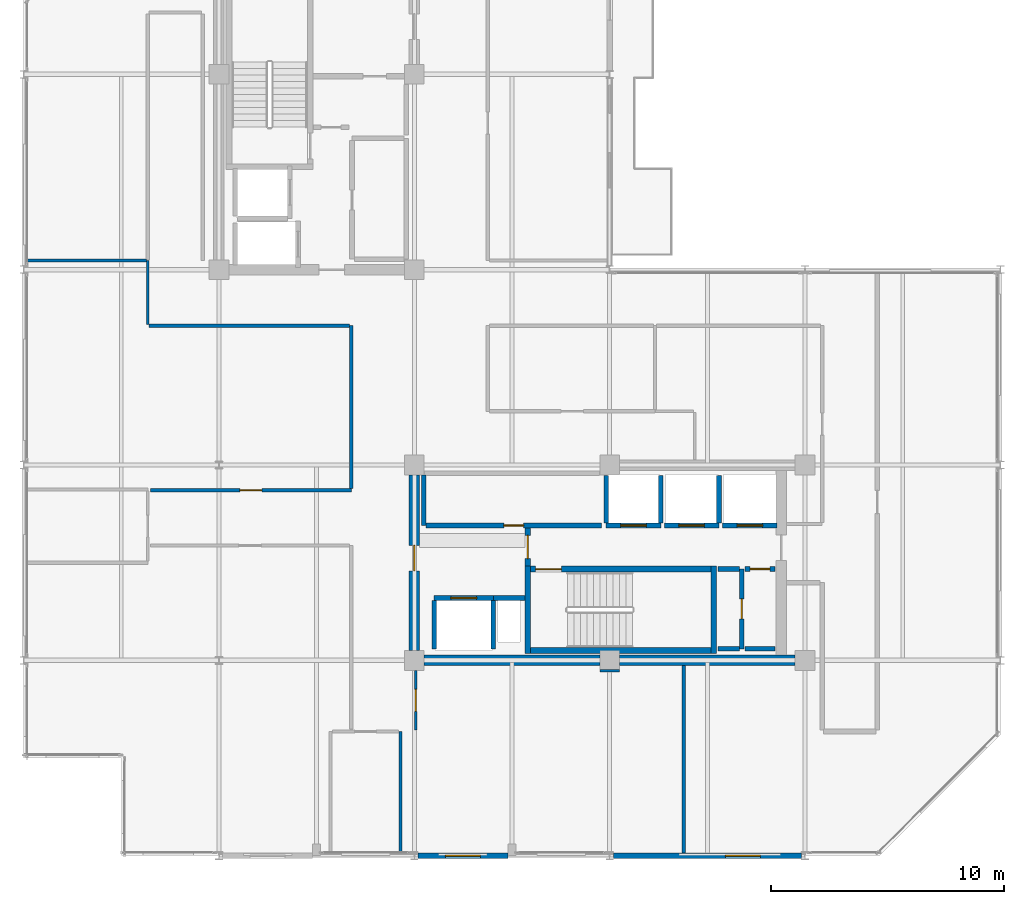
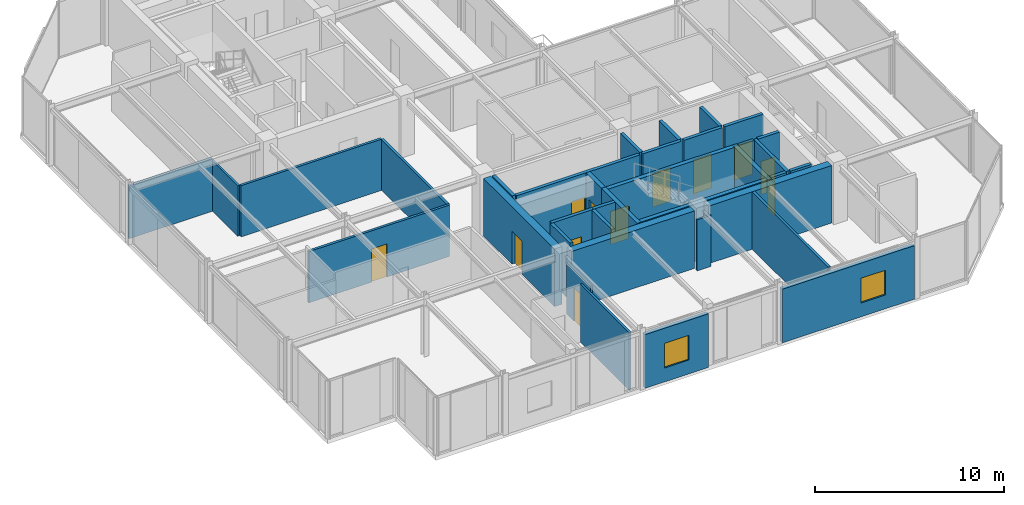
# One storey, part 21 of 26: 36 walls, 12 doors, 2 windows, 14 openings.
"""IFC4 building model written with IfcOpenShell, lengths in metres."""

from ifc_helpers import new_model, si_unit, direction, frame, frame_2d, origin, place, context, subcontext, project, spatial, rectangle, extrude, material, layer, layer_set, type_object, element, fill, save


model = new_model("IFC4")

# Units and contexts
model_context = context("Model", 3, precision=1e-05, world=origin(), true_north=direction((0.0, 1.0)))
body_context = subcontext(model_context, "Body", "Model", "MODEL_VIEW")
ifc_project = project(units=[si_unit("LENGTHUNIT", "METRE"), si_unit("AREAUNIT", "SQUARE_METRE"), si_unit("VOLUMEUNIT", "CUBIC_METRE"), si_unit("PLANEANGLEUNIT", "RADIAN"), si_unit("MASSUNIT", "GRAM", prefix="KILO")], contexts=[model_context])

# Site, building, storey
site_placement = place(None, origin())
site = spatial("IfcSite", under=ifc_project, at=site_placement, CompositionType="ELEMENT")
building_placement = place(site_placement, origin())
building = spatial("IfcBuilding", under=site, at=building_placement, Name="Nerrivon Quay Data Exchange", CompositionType="ELEMENT")
storey_placement = place(building_placement, frame((0.0, 0.0, 262.199951171875)))
storey = spatial("IfcBuildingStorey", under=building, at=storey_placement, Name="L62", CompositionType="ELEMENT", Elevation=262.199951171875)

# Wall, opening, window
ifc_material_1 = material(Name="Architectural terracotta precast concrete N50 (50 MPa)", Category="masonry")
ifc_layer_1 = layer(ifc_material_1, 0.239990234375)
ifc_layer_set_1 = layer_set([ifc_layer_1], Name="Architectural terracotta precast concrete N50 (50 MPa)")
wall_type_1 = type_object("IfcWallType", Name="EW-PREC-240", PredefinedType="STANDARD", material=ifc_layer_set_1)
wall_1_placement = place(storey_placement, frame((33.444580078125, 0.0, 0.0), z_axis=(0.0, 0.0, 1.0), x_axis=(-1.0, 0.0, 0.0)))
wall_1 = element("IfcWall", 1, at=wall_1_placement, inside=storey, type_object=wall_type_1, Name="L62 Podium Precast Spandrel Wall 3", PredefinedType="STANDARD", context=body_context, shape_type="SweptSolid", body=[
    extrude(rectangle(XDim=8.089111328125, YDim=0.239990234375, at=frame_2d((4.04443359375, 0.0))), origin(), (0.0, 0.0, 1.0), 3.47509765625),
])
opening_1_placement = place(wall_1_placement, frame((1.76953125, 0.0, 0.89990234375)))
opening_1 = element("IfcOpeningElement", 2, at=opening_1_placement, cuts=wall_1, Name="Opening WN4", PredefinedType="OPENING", context=body_context, shape_type="SweptSolid", body=[
    extrude(rectangle(XDim=1.5, YDim=1.60009765625, at=frame_2d((0.75, 0.800048828125))), frame((0.0, 0.1298828125, 0.0), z_axis=(0.0, -1.0, 0.0), x_axis=(1.0, 0.0, 0.0)), (0.0, 0.0, 1.0), 0.260009765625),
])
ifc_material_2 = material(Name="Double-glazed low-E solar control glass", Category="glass")
window_type = type_object("IfcWindowType", Name="WIN-W4-1500x1600", PartitioningType="SINGLE_PANEL", PredefinedType="WINDOW", material=ifc_material_2)
window_1_placement = place(opening_1_placement, origin())
window_1 = element("IfcWindow", 3, at=window_1_placement, inside=storey, type_object=window_type, Name="L62 Solar Facade Window 3", OverallHeight=1.60009765625, OverallWidth=1.5, PartitioningType="SINGLE_PANEL", PredefinedType="WINDOW", context=body_context, shape_type="SweptSolid", body=[
    extrude(rectangle(XDim=1.5, YDim=1.60009765625, at=frame_2d((0.75, 0.800048828125))), frame((0.0, 0.030029296875, 0.0), z_axis=(0.0, -1.0, 0.0), x_axis=(1.0, 0.0, 0.0)), (0.0, 0.0, 1.0), 0.06005859375),
])
fill(opening_1, window_1)

wall_2_placement = place(storey_placement, frame((20.824951171875, 0.0, 0.0), z_axis=(0.0, 0.0, 1.0), x_axis=(-1.0, 0.0, 0.0)))
wall_2 = element("IfcWall", 4, at=wall_2_placement, inside=storey, type_object=wall_type_1, Name="L62 Podium Precast Spandrel Wall 5", PredefinedType="STANDARD", context=body_context, shape_type="SweptSolid", body=[
    extrude(rectangle(XDim=3.869384765625, YDim=0.239990234375, at=frame_2d((1.9345703125, 0.0))), origin(), (0.0, 0.0, 1.0), 3.47509765625),
])
opening_2_placement = place(wall_2_placement, frame((1.184814453125, 0.0, 0.89990234375)))
opening_2 = element("IfcOpeningElement", 5, at=opening_2_placement, cuts=wall_2, Name="Opening WN4", PredefinedType="OPENING", context=body_context, shape_type="SweptSolid", body=[
    extrude(rectangle(XDim=1.5, YDim=1.60009765625, at=frame_2d((0.75, 0.800048828125))), frame((0.0, 0.1298828125, 0.0), z_axis=(0.0, -1.0, 0.0), x_axis=(1.0, 0.0, 0.0)), (0.0, 0.0, 1.0), 0.260009765625),
])
window_2_placement = place(opening_2_placement, origin())
window_2 = element("IfcWindow", 6, at=window_2_placement, inside=storey, type_object=window_type, Name="L62 Solar Facade Window 5", OverallHeight=1.60009765625, OverallWidth=1.5, PartitioningType="SINGLE_PANEL", PredefinedType="WINDOW", context=body_context, shape_type="SweptSolid", body=[
    extrude(rectangle(XDim=1.5, YDim=1.60009765625, at=frame_2d((0.75, 0.800048828125))), frame((0.0, 0.030029296875, 0.0), z_axis=(0.0, -1.0, 0.0), x_axis=(1.0, 0.0, 0.0)), (0.0, 0.0, 1.0), 0.06005859375),
])
fill(opening_2, window_2)

# Walls
ifc_material_3 = material(Name="Concrete N50 (50 MPa)", Category="concrete")
ifc_layer_2 = layer(ifc_material_3, 0.449951171875)
ifc_layer_set_2 = layer_set([ifc_layer_2], Name="Concrete N50 (50 MPa)")
wall_type_2 = type_object("IfcWallType", Name="WALL-CW-550", PredefinedType="SHEAR", material=ifc_layer_set_2)
wall_3_placement = place(storey_placement, frame((17.22509765625, 8.39990234375, 0.0), z_axis=(0.0, 0.0, 1.0), x_axis=(1.0, 0.0, 0.0)))
element("IfcWall", 7, at=wall_3_placement, inside=storey, type_object=wall_type_2, Name="L62 East Split-Core Shear Wall ECW-S1", PredefinedType="SHEAR", context=body_context, shape_type="SweptSolid", body=[
    extrude(rectangle(XDim=7.5498046875, YDim=0.449951171875, at=frame_2d((3.77490234375, 0.0))), origin(), (0.0, 0.0, 1.0), 3.72509765625),
])
wall_4_placement = place(storey_placement, frame((25.625, 8.39990234375, 0.0), z_axis=(0.0, 0.0, 1.0), x_axis=(1.0, 0.0, 0.0)))
element("IfcWall", 8, at=wall_4_placement, inside=storey, type_object=wall_type_2, Name="L62 East Split-Core Shear Wall ECW-S2", PredefinedType="SHEAR", context=body_context, shape_type="SweptSolid", body=[
    extrude(rectangle(XDim=7.550048828125, YDim=0.449951171875, at=frame_2d((3.77490234375, 0.0))), origin(), (0.0, 0.0, 1.0), 3.72509765625),
])

# Wall, opening, door
wall_5_placement = place(storey_placement, frame((16.800048828125, 8.824951171875, 0.0), z_axis=(0.0, 0.0, 1.0), x_axis=(0.0, 1.0, 0.0)))
wall_5 = element("IfcWall", 9, at=wall_5_placement, inside=storey, type_object=wall_type_2, Name="L62 East Split-Core Shear Wall ECW-W1", PredefinedType="SHEAR", context=body_context, shape_type="SweptSolid", body=[
    extrude(rectangle(XDim=7.550048828125, YDim=0.449951171875, at=frame_2d((3.77490234375, 0.0))), origin(), (0.0, 0.0, 1.0), 3.72509765625),
])
opening_3_placement = place(wall_5_placement, frame((3.425048828125, 0.0, 0.0)))
opening_3 = element("IfcOpeningElement", 10, at=opening_3_placement, cuts=wall_5, Name="Opening FD-120", PredefinedType="OPENING", context=body_context, shape_type="SweptSolid", body=[
    extrude(rectangle(XDim=1.10009765625, YDim=2.14990234375, at=frame_2d((0.550048828125, 1.074951171875))), frame((0.0, 0.23486328125, 0.0), z_axis=(0.0, -1.0, 0.0), x_axis=(1.0, 0.0, 0.0)), (0.0, 0.0, 1.0), 0.469970703125),
])
ifc_material_4 = material(Name="Powder-coated galvanized steel sheet", Category="steel")
door_type_1 = type_object("IfcDoorType", Name="DR-FD120-1100", OperationType="NOTDEFINED", PredefinedType="DOOR", material=ifc_material_4)
door_1_placement = place(opening_3_placement, origin())
door_1 = element("IfcDoor", 11, at=door_1_placement, inside=storey, type_object=door_type_1, Name="L62 East Core Lobby Fire Door", OperationType="SINGLE_SWING_RIGHT", OverallHeight=2.14990234375, OverallWidth=1.10009765625, PredefinedType="DOOR", context=body_context, shape_type="SweptSolid", body=[
    extrude(rectangle(XDim=1.10009765625, YDim=2.14990234375, at=frame_2d((0.550048828125, 1.074951171875))), frame((0.0, 0.02490234375, 0.0), z_axis=(0.0, -1.0, 0.0), x_axis=(1.0, 0.0, 0.0)), (0.0, 0.0, 1.0), 0.050048828125),
])
fill(opening_3, door_1)

# Wall
ifc_material_5 = material(Name="Gypsum plasterboard on cold-formed framing", Category="gypsum")
ifc_layer_3 = layer(ifc_material_5, 0.199951171875)
ifc_layer_set_3 = layer_set([ifc_layer_3], Name="Gypsum plasterboard on cold-formed framing")
wall_type_3 = type_object("IfcWallType", Name="WALL-FW-200", PredefinedType="PARTITIONING", material=ifc_layer_set_3)
wall_6_placement = place(storey_placement, frame((20.199951171875, 11.080078125, 0.0), z_axis=(0.0, 0.0, 1.0), x_axis=(1.0, 0.0, 0.0)))
element("IfcWall", 12, at=wall_6_placement, inside=storey, type_object=wall_type_3, Name="L62 East Core MEP Riser Shaft Wall N", PredefinedType="PARTITIONING", context=body_context, shape_type="SweptSolid", body=[
    extrude(rectangle(XDim=1.35009765625, YDim=0.199951171875, at=frame_2d((0.675048828125, 0.0))), origin(), (0.0, 0.0, 1.0), 3.72509765625),
])

# Wall, opening, door
wall_7_placement = place(storey_placement, frame((17.64990234375, 11.080078125, 0.0), z_axis=(0.0, 0.0, 1.0), x_axis=(1.0, 0.0, 0.0)))
wall_7 = element("IfcWall", 13, at=wall_7_placement, inside=storey, type_object=wall_type_3, Name="L62 Lift Front Wall FFL-2", PredefinedType="PARTITIONING", context=body_context, shape_type="SweptSolid", body=[
    extrude(rectangle(XDim=2.550048828125, YDim=0.199951171875, at=frame_2d((1.27490234375, 0.0))), origin(), (0.0, 0.0, 1.0), 3.72509765625),
])
opening_4_placement = place(wall_7_placement, frame((0.72509765625, 0.0, 0.0)))
opening_4 = element("IfcOpeningElement", 14, at=opening_4_placement, cuts=wall_7, Name="Opening LD-120", PredefinedType="OPENING", context=body_context, shape_type="SweptSolid", body=[
    extrude(rectangle(XDim=1.10009765625, YDim=2.199951171875, at=frame_2d((0.550048828125, 1.10009765625))), frame((0.0, 0.10986328125, 0.0), z_axis=(0.0, -1.0, 0.0), x_axis=(1.0, 0.0, 0.0)), (0.0, 0.0, 1.0), 0.219970703125),
])
door_type_2 = type_object("IfcDoorType", Name="DR-LIFT-LD120", OperationType="DOUBLE_DOOR_SLIDING", PredefinedType="DOOR", material=ifc_material_4)
door_2_placement = place(opening_4_placement, origin())
door_2 = element("IfcDoor", 15, at=door_2_placement, inside=storey, type_object=door_type_2, Name="L62 Lift Landing Sliding Door FFL-2", OperationType="DOUBLE_DOOR_SLIDING", OverallHeight=2.199951171875, OverallWidth=1.10009765625, PredefinedType="DOOR", context=body_context, shape_type="SweptSolid", body=[
    extrude(rectangle(XDim=1.10009765625, YDim=2.199951171875, at=frame_2d((0.550048828125, 1.10009765625))), frame((0.0, 0.02490234375, 0.0), z_axis=(0.0, -1.0, 0.0), x_axis=(1.0, 0.0, 0.0)), (0.0, 0.0, 1.0), 0.050048828125),
])
fill(opening_4, door_2)

# Walls
for number, where, z_axis, x_axis, name in (
    (16, (20.199951171875, 8.8798828125, 0.0), (0.0, 0.0, 1.0), (0.0, 1.0, 0.0), "L62 Lift Shaft Wall FFL-2 EAST"),
    (17, (17.64990234375, 8.8798828125, 0.0), (0.0, 0.0, 1.0), (0.0, 1.0, 0.0), "L62 Lift Shaft Wall FFL-2 WEST"),
):
    element("IfcWall", number, at=place(storey_placement, frame(where, z_axis=z_axis, x_axis=x_axis)), inside=storey, type_object=wall_type_3, Name=name, PredefinedType="PARTITIONING", context=body_context, shape_type="SweptSolid", body=[
        extrude(rectangle(XDim=2.10009765625, YDim=0.199951171875, at=frame_2d((1.050048828125, 0.0))), origin(), (0.0, 0.0, 1.0), 3.72509765625),
    ])

# Wall, opening, door
wall_8_placement = place(storey_placement, frame((25.050048828125, 14.199951171875, 0.0), z_axis=(0.0, 0.0, 1.0), x_axis=(1.0, 0.0, 0.0)))
wall_8 = element("IfcWall", 18, at=wall_8_placement, inside=storey, type_object=wall_type_3, Name="L62 Lift Front Wall PL7", PredefinedType="PARTITIONING", context=body_context, shape_type="SweptSolid", body=[
    extrude(rectangle(XDim=2.349853515625, YDim=0.199951171875, at=frame_2d((1.1748046875, 0.0))), origin(), (0.0, 0.0, 1.0), 3.72509765625),
])
opening_5_placement = place(wall_8_placement, frame((0.625, 0.0, 0.0)))
opening_5 = element("IfcOpeningElement", 19, at=opening_5_placement, cuts=wall_8, Name="Opening LD-120", PredefinedType="OPENING", context=body_context, shape_type="SweptSolid", body=[
    extrude(rectangle(XDim=1.10009765625, YDim=2.199951171875, at=frame_2d((0.550048828125, 1.10009765625))), frame((0.0, 0.10986328125, 0.0), z_axis=(0.0, -1.0, 0.0), x_axis=(1.0, 0.0, 0.0)), (0.0, 0.0, 1.0), 0.219970703125),
])
door_3_placement = place(opening_5_placement, origin())
door_3 = element("IfcDoor", 20, at=door_3_placement, inside=storey, type_object=door_type_2, Name="L62 Lift Landing Sliding Door PL7", OperationType="DOUBLE_DOOR_SLIDING", OverallHeight=2.199951171875, OverallWidth=1.10009765625, PredefinedType="DOOR", context=body_context, shape_type="SweptSolid", body=[
    extrude(rectangle(XDim=1.10009765625, YDim=2.199951171875, at=frame_2d((0.550048828125, 1.10009765625))), frame((0.0, 0.02490234375, 0.0), z_axis=(0.0, -1.0, 0.0), x_axis=(1.0, 0.0, 0.0)), (0.0, 0.0, 1.0), 0.050048828125),
])
fill(opening_5, door_3)

# Walls
for number, where, z_axis, x_axis, name in (
    (21, (27.39990234375, 14.300048828125, 0.0), (0.0, 0.0, 1.0), (0.0, 1.0, 0.0), "L62 Lift Shaft Wall PL7 EAST"),
    (22, (25.050048828125, 14.300048828125, 0.0), (0.0, 0.0, 1.0), (0.0, 1.0, 0.0), "L62 Lift Shaft Wall PL7 WEST"),
):
    element("IfcWall", number, at=place(storey_placement, frame(where, z_axis=z_axis, x_axis=x_axis)), inside=storey, type_object=wall_type_3, Name=name, PredefinedType="PARTITIONING", context=body_context, shape_type="SweptSolid", body=[
        extrude(rectangle(XDim=2.050048828125, YDim=0.199951171875, at=frame_2d((1.02490234375, 0.0))), origin(), (0.0, 0.0, 1.0), 3.72509765625),
    ])

# Wall, opening, door
wall_9_placement = place(storey_placement, frame((27.550048828125, 14.199951171875, 0.0), z_axis=(0.0, 0.0, 1.0), x_axis=(1.0, 0.0, 0.0)))
wall_9 = element("IfcWall", 23, at=wall_9_placement, inside=storey, type_object=wall_type_3, Name="L62 Lift Front Wall PL8", PredefinedType="PARTITIONING", context=body_context, shape_type="SweptSolid", body=[
    extrude(rectangle(XDim=2.349853515625, YDim=0.199951171875, at=frame_2d((1.1748046875, 0.0))), origin(), (0.0, 0.0, 1.0), 3.72509765625),
])
opening_6_placement = place(wall_9_placement, frame((0.625, 0.0, 0.0)))
opening_6 = element("IfcOpeningElement", 24, at=opening_6_placement, cuts=wall_9, Name="Opening LD-120", PredefinedType="OPENING", context=body_context, shape_type="SweptSolid", body=[
    extrude(rectangle(XDim=1.10009765625, YDim=2.199951171875, at=frame_2d((0.550048828125, 1.10009765625))), frame((0.0, 0.10986328125, 0.0), z_axis=(0.0, -1.0, 0.0), x_axis=(1.0, 0.0, 0.0)), (0.0, 0.0, 1.0), 0.219970703125),
])
door_4_placement = place(opening_6_placement, origin())
door_4 = element("IfcDoor", 25, at=door_4_placement, inside=storey, type_object=door_type_2, Name="L62 Lift Landing Sliding Door PL8", OperationType="DOUBLE_DOOR_SLIDING", OverallHeight=2.199951171875, OverallWidth=1.10009765625, PredefinedType="DOOR", context=body_context, shape_type="SweptSolid", body=[
    extrude(rectangle(XDim=1.10009765625, YDim=2.199951171875, at=frame_2d((0.550048828125, 1.10009765625))), frame((0.0, 0.02490234375, 0.0), z_axis=(0.0, -1.0, 0.0), x_axis=(1.0, 0.0, 0.0)), (0.0, 0.0, 1.0), 0.050048828125),
])
fill(opening_6, door_4)

# Wall
wall_10_placement = place(storey_placement, frame((29.89990234375, 14.300048828125, 0.0), z_axis=(0.0, 0.0, 1.0), x_axis=(0.0, 1.0, 0.0)))
element("IfcWall", 26, at=wall_10_placement, inside=storey, type_object=wall_type_3, Name="L62 Lift Shaft Wall PL8 EAST", PredefinedType="PARTITIONING", context=body_context, shape_type="SweptSolid", body=[
    extrude(rectangle(XDim=2.050048828125, YDim=0.199951171875, at=frame_2d((1.02490234375, 0.0))), origin(), (0.0, 0.0, 1.0), 3.72509765625),
])

# Wall, opening, door
wall_11_placement = place(storey_placement, frame((30.050048828125, 14.199951171875, 0.0), z_axis=(0.0, 0.0, 1.0), x_axis=(1.0, 0.0, 0.0)))
wall_11 = element("IfcWall", 27, at=wall_11_placement, inside=storey, type_object=wall_type_3, Name="L62 Lift Front Wall PL9", PredefinedType="PARTITIONING", context=body_context, shape_type="SweptSolid", body=[
    extrude(rectangle(XDim=2.349853515625, YDim=0.199951171875, at=frame_2d((1.1748046875, 0.0))), origin(), (0.0, 0.0, 1.0), 3.72509765625),
])
opening_7_placement = place(wall_11_placement, frame((0.625, 0.0, 0.0)))
opening_7 = element("IfcOpeningElement", 28, at=opening_7_placement, cuts=wall_11, Name="Opening LD-120", PredefinedType="OPENING", context=body_context, shape_type="SweptSolid", body=[
    extrude(rectangle(XDim=1.10009765625, YDim=2.199951171875, at=frame_2d((0.550048828125, 1.10009765625))), frame((0.0, 0.10986328125, 0.0), z_axis=(0.0, -1.0, 0.0), x_axis=(1.0, 0.0, 0.0)), (0.0, 0.0, 1.0), 0.219970703125),
])
door_5_placement = place(opening_7_placement, origin())
door_5 = element("IfcDoor", 29, at=door_5_placement, inside=storey, type_object=door_type_2, Name="L62 Lift Landing Sliding Door PL9", OperationType="DOUBLE_DOOR_SLIDING", OverallHeight=2.199951171875, OverallWidth=1.10009765625, PredefinedType="DOOR", context=body_context, shape_type="SweptSolid", body=[
    extrude(rectangle(XDim=1.10009765625, YDim=2.199951171875, at=frame_2d((0.550048828125, 1.10009765625))), frame((0.0, 0.02490234375, 0.0), z_axis=(0.0, -1.0, 0.0), x_axis=(1.0, 0.0, 0.0)), (0.0, 0.0, 1.0), 0.050048828125),
])
fill(opening_7, door_5)

# Wall
wall_12_placement = place(storey_placement, frame((17.199951171875, 16.3701171875, 0.0), z_axis=(0.0, 0.0, 1.0), x_axis=(0.0, -1.0, 0.0)))
element("IfcWall", 30, at=wall_12_placement, inside=storey, type_object=wall_type_3, Name="L62 Partition High-Zone Patching Archive", PredefinedType="PARTITIONING", context=body_context, shape_type="SweptSolid", body=[
    extrude(rectangle(XDim=2.170166015625, YDim=0.199951171875, at=frame_2d((1.0849609375, 0.0))), origin(), (0.0, 0.0, 1.0), 3.72509765625),
])

# Wall, opening, door
wall_13_placement = place(storey_placement, frame((17.303955078125, 14.199951171875, 0.0), z_axis=(0.0, 0.0, 1.0), x_axis=(1.0, 0.0, 0.0)))
wall_13 = element("IfcWall", 31, at=wall_13_placement, inside=storey, type_object=wall_type_3, Name="L62 Partition High-Zone Patching Archive", PredefinedType="PARTITIONING", context=body_context, shape_type="SweptSolid", body=[
    extrude(rectangle(XDim=7.546142578125, YDim=0.199951171875, at=frame_2d((3.77294921875, 0.0))), origin(), (0.0, 0.0, 1.0), 3.72509765625),
])
opening_8_placement = place(wall_13_placement, frame((3.347900390625, 0.0, 0.0)))
opening_8 = element("IfcOpeningElement", 32, at=opening_8_placement, cuts=wall_13, Name="Opening FD-60S", PredefinedType="OPENING", context=body_context, shape_type="SweptSolid", body=[
    extrude(rectangle(XDim=0.85009765625, YDim=2.14990234375, at=frame_2d((0.425048828125, 1.074951171875))), frame((0.0, 0.10986328125, 0.0), z_axis=(0.0, -1.0, 0.0), x_axis=(1.0, 0.0, 0.0)), (0.0, 0.0, 1.0), 0.219970703125),
])
ifc_material_6 = material(Name="Engineered hardwood timber", Category="wood")
door_type_3 = type_object("IfcDoorType", Name="DR-FD60-850", OperationType="NOTDEFINED", PredefinedType="DOOR", material=ifc_material_6)
door_6_placement = place(opening_8_placement, origin())
door_6 = element("IfcDoor", 33, at=door_6_placement, inside=storey, type_object=door_type_3, Name="L62 Door High-Zone Patching Archive", OperationType="SINGLE_SWING_LEFT", OverallHeight=2.14990234375, OverallWidth=0.85009765625, PredefinedType="DOOR", context=body_context, shape_type="SweptSolid", body=[
    extrude(rectangle(XDim=0.85009765625, YDim=2.14990234375, at=frame_2d((0.425048828125, 1.074951171875))), frame((0.0, 0.02490234375, 0.0), z_axis=(0.0, -1.0, 0.0), x_axis=(1.0, 0.0, 0.0)), (0.0, 0.0, 1.0), 0.050048828125),
])
fill(opening_8, door_6)

wall_14_placement = place(storey_placement, frame((30.8798828125, 8.89990234375, 0.0), z_axis=(0.0, 0.0, 1.0), x_axis=(0.0, 1.0, 0.0)))
wall_14 = element("IfcWall", 34, at=wall_14_placement, inside=storey, type_object=wall_type_3, Name="L62 Partition East Electrical Closet", PredefinedType="PARTITIONING", context=body_context, shape_type="SweptSolid", body=[
    extrude(rectangle(XDim=3.43017578125, YDim=0.199951171875, at=frame_2d((1.715087890625, 0.0))), origin(), (0.0, 0.0, 1.0), 3.72509765625),
])
opening_9_placement = place(wall_14_placement, frame((1.2900390625, 0.0, 0.0)))
opening_9 = element("IfcOpeningElement", 35, at=opening_9_placement, cuts=wall_14, Name="Opening FD-60S", PredefinedType="OPENING", context=body_context, shape_type="SweptSolid", body=[
    extrude(rectangle(XDim=0.85009765625, YDim=2.14990234375, at=frame_2d((0.425048828125, 1.074951171875))), frame((0.0, 0.10986328125, 0.0), z_axis=(0.0, -1.0, 0.0), x_axis=(1.0, 0.0, 0.0)), (0.0, 0.0, 1.0), 0.219970703125),
])
door_7_placement = place(opening_9_placement, origin())
door_7 = element("IfcDoor", 36, at=door_7_placement, inside=storey, type_object=door_type_3, Name="L62 Door East Electrical Closet", OperationType="SINGLE_SWING_RIGHT", OverallHeight=2.14990234375, OverallWidth=0.85009765625, PredefinedType="DOOR", context=body_context, shape_type="SweptSolid", body=[
    extrude(rectangle(XDim=0.85009765625, YDim=2.14990234375, at=frame_2d((0.425048828125, 1.074951171875))), frame((0.0, 0.02490234375, 0.0), z_axis=(0.0, -1.0, 0.0), x_axis=(1.0, 0.0, 0.0)), (0.0, 0.0, 1.0), 0.050048828125),
])
fill(opening_9, door_7)

# Walls
for number, where, z_axis, x_axis, name in (
    (37, (30.77587890625, 12.330078125, 0.0), (0.0, 0.0, 1.0), (-1.0, 0.0, 0.0), "L62 Partition East Electrical Closet"),
    (38, (29.85009765625, 8.89990234375, 0.0), (0.0, 0.0, 1.0), (1.0, 0.0, 0.0), "L62 Partition East Electrical Closet"),
):
    element("IfcWall", number, at=place(storey_placement, frame(where, z_axis=z_axis, x_axis=x_axis)), inside=storey, type_object=wall_type_3, Name=name, PredefinedType="PARTITIONING", context=body_context, shape_type="SweptSolid", body=[
        extrude(rectangle(XDim=0.92578125, YDim=0.199951171875, at=frame_2d((0.462890625, 0.0))), origin(), (0.0, 0.0, 1.0), 3.72509765625),
    ])

# Wall, opening, door
wall_15_placement = place(storey_placement, frame((32.300048828125, 12.330078125, 0.0), z_axis=(0.0, 0.0, 1.0), x_axis=(-1.0, 0.0, 0.0)))
wall_15 = element("IfcWall", 39, at=wall_15_placement, inside=storey, type_object=wall_type_3, Name="L62 Partition East Cleaners Store", PredefinedType="PARTITIONING", context=body_context, shape_type="SweptSolid", body=[
    extrude(rectangle(XDim=1.280029296875, YDim=0.199951171875, at=frame_2d((0.64013671875, 0.0))), origin(), (0.0, 0.0, 1.0), 3.72509765625),
])
opening_10_placement = place(wall_15_placement, frame((0.215087890625, 0.0, 0.0)))
opening_10 = element("IfcOpeningElement", 40, at=opening_10_placement, cuts=wall_15, Name="Opening FD-60S", PredefinedType="OPENING", context=body_context, shape_type="SweptSolid", body=[
    extrude(rectangle(XDim=0.85009765625, YDim=2.14990234375, at=frame_2d((0.425048828125, 1.074951171875))), frame((0.0, 0.10986328125, 0.0), z_axis=(0.0, -1.0, 0.0), x_axis=(1.0, 0.0, 0.0)), (0.0, 0.0, 1.0), 0.219970703125),
])
door_8_placement = place(opening_10_placement, origin())
door_8 = element("IfcDoor", 41, at=door_8_placement, inside=storey, type_object=door_type_3, Name="L62 Door East Cleaners Store", OperationType="SINGLE_SWING_LEFT", OverallHeight=2.14990234375, OverallWidth=0.85009765625, PredefinedType="DOOR", context=body_context, shape_type="SweptSolid", body=[
    extrude(rectangle(XDim=0.85009765625, YDim=2.14990234375, at=frame_2d((0.425048828125, 1.074951171875))), frame((0.0, 0.02490234375, 0.0), z_axis=(0.0, -1.0, 0.0), x_axis=(1.0, 0.0, 0.0)), (0.0, 0.0, 1.0), 0.050048828125),
])
fill(opening_10, door_8)

# Walls
wall_16_placement = place(storey_placement, frame((31.02001953125, 8.89990234375, 0.0), z_axis=(0.0, 0.0, 1.0), x_axis=(1.0, 0.0, 0.0)))
element("IfcWall", 42, at=wall_16_placement, inside=storey, type_object=wall_type_3, Name="L62 Partition East Cleaners Store", PredefinedType="PARTITIONING", context=body_context, shape_type="SweptSolid", body=[
    extrude(rectangle(XDim=1.280029296875, YDim=0.199951171875, at=frame_2d((0.64013671875, 0.0))), origin(), (0.0, 0.0, 1.0), 3.72509765625),
])
ifc_layer_4 = layer(ifc_material_5, 0.1201171875)
ifc_layer_set_4 = layer_set([ifc_layer_4], Name="Gypsum plasterboard on cold-formed framing")
wall_type_4 = type_object("IfcWallType", Name="WALL-PT-120", PredefinedType="PARTITIONING", material=ifc_layer_set_4)
wall_17_placement = place(storey_placement, frame((25.630859375, 7.955810546875, 0.0), z_axis=(0.0, 0.0, 1.0), x_axis=(-0.99999963391, -0.000855675671, 0.0)))
element("IfcWall", 43, at=wall_17_placement, inside=storey, type_object=wall_type_4, Name="L62 Partition Mail and Crew Room", PredefinedType="PARTITIONING", context=body_context, shape_type="SweptSolid", body=[
    extrude(rectangle(XDim=0.85595703125, YDim=0.1201171875, at=frame_2d((0.427978515625, 0.0))), origin(), (0.0, 0.0, 1.0), 3.319091796875),
])

# Wall, opening, door
wall_18_placement = place(storey_placement, frame((16.860107421875, 7.955078125, 0.0), z_axis=(0.0, 0.0, 1.0), x_axis=(0.0, -1.0, 0.0)))
wall_18 = element("IfcWall", 44, at=wall_18_placement, inside=storey, type_object=wall_type_4, Name="L62 Partition Mail and Crew Room", PredefinedType="PARTITIONING", context=body_context, shape_type="SweptSolid", body=[
    extrude(rectangle(XDim=2.55517578125, YDim=0.1201171875, at=frame_2d((1.277587890625, 0.0))), origin(), (0.0, 0.0, 1.0), 3.319091796875),
])
opening_11_placement = place(wall_18_placement, frame((0.802490234375, 0.0, 0.0)))
opening_11 = element("IfcOpeningElement", 45, at=opening_11_placement, cuts=wall_18, Name="Opening D-01", PredefinedType="OPENING", context=body_context, shape_type="SweptSolid", body=[
    extrude(rectangle(XDim=0.949951171875, YDim=2.14990234375, at=frame_2d((0.47509765625, 1.074951171875))), frame((0.0, 0.070068359375, 0.0), z_axis=(0.0, -1.0, 0.0), x_axis=(1.0, 0.0, 0.0)), (0.0, 0.0, 1.0), 0.14013671875),
])
door_type_4 = type_object("IfcDoorType", Name="DR-INT-950", OperationType="NOTDEFINED", PredefinedType="DOOR", material=ifc_material_6)
door_9_placement = place(opening_11_placement, origin())
door_9 = element("IfcDoor", 46, at=door_9_placement, inside=storey, type_object=door_type_4, Name="L62 Door Mail and Crew Room", OperationType="SINGLE_SWING_RIGHT", OverallHeight=2.14990234375, OverallWidth=0.949951171875, PredefinedType="DOOR", context=body_context, shape_type="SweptSolid", body=[
    extrude(rectangle(XDim=0.949951171875, YDim=2.14990234375, at=frame_2d((0.47509765625, 1.074951171875))), frame((0.0, 0.02490234375, 0.0), z_axis=(0.0, -1.0, 0.0), x_axis=(1.0, 0.0, 0.0)), (0.0, 0.0, 1.0), 0.050048828125),
])
fill(opening_11, door_9)

# Walls
wall_19_placement = place(storey_placement, frame((5.340087890625, 22.85009765625, 0.0), z_axis=(0.0, 0.0, 1.0), x_axis=(0.0, 1.0, 0.0)))
element("IfcWall", 47, at=wall_19_placement, inside=storey, type_object=wall_type_4, Name="L62 Partition Engineers Lounge", PredefinedType="PARTITIONING", context=body_context, shape_type="SweptSolid", body=[
    extrude(rectangle(XDim=2.747802734375, YDim=0.1201171875, at=frame_2d((1.3740234375, 0.0))), origin(), (0.0, 0.0, 1.0), 3.27099609375),
])
ifc_layer_5 = layer(ifc_material_5, 0.135009765625)
ifc_layer_set_5 = layer_set([ifc_layer_5], Name="Gypsum plasterboard on cold-formed framing")
wall_type_5 = type_object("IfcWallType", Name="WALL-PT-135", PredefinedType="PARTITIONING", material=ifc_layer_set_5)
wall_20_placement = place(storey_placement, frame((16.199951171875, 0.1689453125, 0.0), z_axis=(0.0, 0.0, 1.0), x_axis=(0.0, 1.0, 0.0)))
element("IfcWall", 48, at=wall_20_placement, inside=storey, type_object=wall_type_5, Name="L62 Partition Public Washrooms", PredefinedType="PARTITIONING", context=body_context, shape_type="SweptSolid", body=[
    extrude(rectangle(XDim=5.171142578125, YDim=0.135009765625, at=frame_2d((2.58544921875, 0.0))), origin(), (0.0, 0.0, 1.0), 3.72509765625),
])
wall_21_placement = place(storey_placement, frame((5.27587890625, 25.597900390625, 0.0), z_axis=(0.0, 0.0, 1.0), x_axis=(-1.0, 0.0, 0.0)))
element("IfcWall", 49, at=wall_21_placement, inside=storey, type_object=wall_type_5, Name="L62 Partition Engineers Lounge", PredefinedType="PARTITIONING", context=body_context, shape_type="SweptSolid", body=[
    extrude(rectangle(XDim=5.10693359375, YDim=0.135009765625, at=frame_2d((2.553466796875, 0.0))), origin(), (0.0, 0.0, 1.0), 3.421142578125),
])
ifc_layer_6 = layer(ifc_material_5, 0.14990234375)
ifc_layer_set_6 = layer_set([ifc_layer_6], Name="Gypsum plasterboard on cold-formed framing")
wall_type_6 = type_object("IfcWallType", Name="WALL-PT-150", PredefinedType="PARTITIONING", material=ifc_layer_set_6)
wall_22_placement = place(storey_placement, frame((28.37548828125, 0.1240234375, 0.0), z_axis=(0.0, 0.0, 1.0), x_axis=(0.0, 1.0, 0.0)))
element("IfcWall", 50, at=wall_22_placement, inside=storey, type_object=wall_type_6, Name="L62 Partition Mail and Crew Room", PredefinedType="PARTITIONING", context=body_context, shape_type="SweptSolid", body=[
    extrude(rectangle(XDim=8.046875, YDim=0.14990234375, at=frame_2d((4.0234375, 0.0))), origin(), (0.0, 0.0, 1.0), 3.72509765625),
])

# Wall, opening, door
wall_23_placement = place(storey_placement, frame((5.4599609375, 15.7099609375, 0.0), z_axis=(0.0, 0.0, 1.0), x_axis=(1.0, 0.0, 0.0)))
wall_23 = element("IfcWall", 51, at=wall_23_placement, inside=storey, type_object=wall_type_6, Name="L62 Partition Engineers Lounge", PredefinedType="PARTITIONING", context=body_context, shape_type="SweptSolid", body=[
    extrude(rectangle(XDim=8.630126953125, YDim=0.14990234375, at=frame_2d((4.31494140625, 0.0))), origin(), (0.0, 0.0, 1.0), 3.319091796875),
])
opening_12_placement = place(wall_23_placement, frame((3.840087890625, 0.0, 0.0)))
opening_12 = element("IfcOpeningElement", 52, at=opening_12_placement, cuts=wall_23, Name="Opening D-01", PredefinedType="OPENING", context=body_context, shape_type="SweptSolid", body=[
    extrude(rectangle(XDim=0.949951171875, YDim=2.14990234375, at=frame_2d((0.47509765625, 1.074951171875))), frame((0.0, 0.0849609375, 0.0), z_axis=(0.0, -1.0, 0.0), x_axis=(1.0, 0.0, 0.0)), (0.0, 0.0, 1.0), 0.169921875),
])
door_10_placement = place(opening_12_placement, origin())
door_10 = element("IfcDoor", 53, at=door_10_placement, inside=storey, type_object=door_type_4, Name="L62 Door Engineers Lounge", OperationType="SINGLE_SWING_LEFT", OverallHeight=2.14990234375, OverallWidth=0.949951171875, PredefinedType="DOOR", context=body_context, shape_type="SweptSolid", body=[
    extrude(rectangle(XDim=0.949951171875, YDim=2.14990234375, at=frame_2d((0.47509765625, 1.074951171875))), frame((0.0, 0.02490234375, 0.0), z_axis=(0.0, -1.0, 0.0), x_axis=(1.0, 0.0, 0.0)), (0.0, 0.0, 1.0), 0.050048828125),
])
fill(opening_12, door_10)

# Walls
wall_24_placement = place(storey_placement, frame((14.090087890625, 15.7890625, 0.0), z_axis=(0.0, 0.0, 1.0), x_axis=(0.0, 1.0, 0.0)))
element("IfcWall", 54, at=wall_24_placement, inside=storey, type_object=wall_type_6, Name="L62 Partition Engineers Lounge", PredefinedType="PARTITIONING", context=body_context, shape_type="SweptSolid", body=[
    extrude(rectangle(XDim=7.0009765625, YDim=0.14990234375, at=frame_2d((3.50048828125, 0.0))), origin(), (0.0, 0.0, 1.0), 3.27099609375),
])
wall_25_placement = place(storey_placement, frame((14.010986328125, 22.7900390625, 0.0), z_axis=(0.0, 0.0, 1.0), x_axis=(-1.0, 0.0, 0.0)))
element("IfcWall", 55, at=wall_25_placement, inside=storey, type_object=wall_type_6, Name="L62 Partition Engineers Lounge", PredefinedType="PARTITIONING", context=body_context, shape_type="SweptSolid", body=[
    extrude(rectangle(XDim=8.611083984375, YDim=0.14990234375, at=frame_2d((4.3056640625, 0.0))), origin(), (0.0, 0.0, 1.0), 3.319091796875),
])
ifc_layer_7 = layer(ifc_material_3, 0.25)
ifc_layer_set_7 = layer_set([ifc_layer_7], Name="Concrete N50 (50 MPa)")
wall_type_7 = type_object("IfcWallType", Name="WALL-SW-250", PredefinedType="SHEAR", material=ifc_layer_set_7)
for number, where, z_axis, x_axis, name in (
    (56, (21.675048828125, 8.699951171875, 0.0), (0.0, 0.0, 1.0), (0.0, 1.0, 0.0), "L62 ST02 Structural Stair Core Wall NEAR"),
    (57, (29.675048828125, 8.699951171875, 0.0), (0.0, 0.0, 1.0), (0.0, 1.0, 0.0), "L62 ST02 Structural Stair Core Wall FAR"),
):
    element("IfcWall", number, at=place(storey_placement, frame(where, z_axis=z_axis, x_axis=x_axis)), inside=storey, type_object=wall_type_7, Name=name, PredefinedType="SHEAR", context=body_context, shape_type="SweptSolid", body=[
        extrude(rectangle(XDim=3.75, YDim=0.25, at=frame_2d((1.875, 0.0))), origin(), (0.0, 0.0, 1.0), 3.72509765625),
    ])
wall_26_placement = place(storey_placement, frame((21.800048828125, 8.824951171875, 0.0), z_axis=(0.0, 0.0, 1.0), x_axis=(1.0, 0.0, 0.0)))
element("IfcWall", 58, at=wall_26_placement, inside=storey, type_object=wall_type_7, Name="L62 ST02 Structural Stair Core Wall LEFT", PredefinedType="SHEAR", context=body_context, shape_type="SweptSolid", body=[
    extrude(rectangle(XDim=7.75, YDim=0.25, at=frame_2d((3.875, 0.0))), origin(), (0.0, 0.0, 1.0), 3.72509765625),
])

# Wall, opening, door
wall_27_placement = place(storey_placement, frame((21.800048828125, 12.324951171875, 0.0), z_axis=(0.0, 0.0, 1.0), x_axis=(1.0, 0.0, 0.0)))
wall_27 = element("IfcWall", 59, at=wall_27_placement, inside=storey, type_object=wall_type_7, Name="L62 ST02 Structural Stair Core Wall RIGHT", PredefinedType="SHEAR", context=body_context, shape_type="SweptSolid", body=[
    extrude(rectangle(XDim=7.75, YDim=0.25, at=frame_2d((3.875, 0.0))), origin(), (0.0, 0.0, 1.0), 3.72509765625),
])
opening_13_placement = place(wall_27_placement, frame((0.219970703125, 0.0, 0.0)))
opening_13 = element("IfcOpeningElement", 60, at=opening_13_placement, cuts=wall_27, Name="Opening FD-120", PredefinedType="OPENING", context=body_context, shape_type="SweptSolid", body=[
    extrude(rectangle(XDim=1.10009765625, YDim=2.14990234375, at=frame_2d((0.550048828125, 1.074951171875))), frame((0.0, 0.135009765625, 0.0), z_axis=(0.0, -1.0, 0.0), x_axis=(1.0, 0.0, 0.0)), (0.0, 0.0, 1.0), 0.27001953125),
])
door_11_placement = place(opening_13_placement, origin())
door_11 = element("IfcDoor", 61, at=door_11_placement, inside=storey, type_object=door_type_1, Name="L62 Protected Stair Door ST02", OperationType="SINGLE_SWING_RIGHT", OverallHeight=2.14990234375, OverallWidth=1.10009765625, PredefinedType="DOOR", context=body_context, shape_type="SweptSolid", body=[
    extrude(rectangle(XDim=1.10009765625, YDim=2.14990234375, at=frame_2d((0.550048828125, 1.074951171875))), frame((0.0, 0.02490234375, 0.0), z_axis=(0.0, -1.0, 0.0), x_axis=(1.0, 0.0, 0.0)), (0.0, 0.0, 1.0), 0.050048828125),
])
fill(opening_13, door_11)

wall_28_placement = place(storey_placement, frame((21.679931640625, 12.449951171875, 0.0), z_axis=(0.0, 0.0, 1.0), x_axis=(0.0, 1.0, 0.0)))
wall_28 = element("IfcWall", 62, at=wall_28_placement, inside=storey, type_object=wall_type_7, Name="L62 East Firefighting Lobby Wall", PredefinedType="SHEAR", context=body_context, shape_type="SweptSolid", body=[
    extrude(rectangle(XDim=1.650146484375, YDim=0.25, at=frame_2d((0.8251953125, 0.0))), origin(), (0.0, 0.0, 1.0), 3.72509765625),
])
opening_14_placement = place(wall_28_placement, frame((0.324951171875, 0.0, 0.0)))
opening_14 = element("IfcOpeningElement", 63, at=opening_14_placement, cuts=wall_28, Name="Opening FD-60", PredefinedType="OPENING", context=body_context, shape_type="SweptSolid", body=[
    extrude(rectangle(XDim=1.0, YDim=2.14990234375, at=frame_2d((0.5, 1.074951171875))), frame((0.0, 0.135009765625, 0.0), z_axis=(0.0, -1.0, 0.0), x_axis=(1.0, 0.0, 0.0)), (0.0, 0.0, 1.0), 0.27001953125),
])
door_type_5 = type_object("IfcDoorType", Name="DR-FD60-1000", OperationType="NOTDEFINED", PredefinedType="DOOR", material=ifc_material_6)
door_12_placement = place(opening_14_placement, origin())
door_12 = element("IfcDoor", 64, at=door_12_placement, inside=storey, type_object=door_type_5, Name="L62 East Firefighting Lobby Fire Door", OperationType="SINGLE_SWING_RIGHT", OverallHeight=2.14990234375, OverallWidth=1.0, PredefinedType="DOOR", context=body_context, shape_type="SweptSolid", body=[
    extrude(rectangle(XDim=1.0, YDim=2.14990234375, at=frame_2d((0.5, 1.074951171875))), frame((0.0, 0.02490234375, 0.0), z_axis=(0.0, -1.0, 0.0), x_axis=(1.0, 0.0, 0.0)), (0.0, 0.0, 1.0), 0.050048828125),
])
fill(opening_14, door_12)

save(model, "model.ifc")
